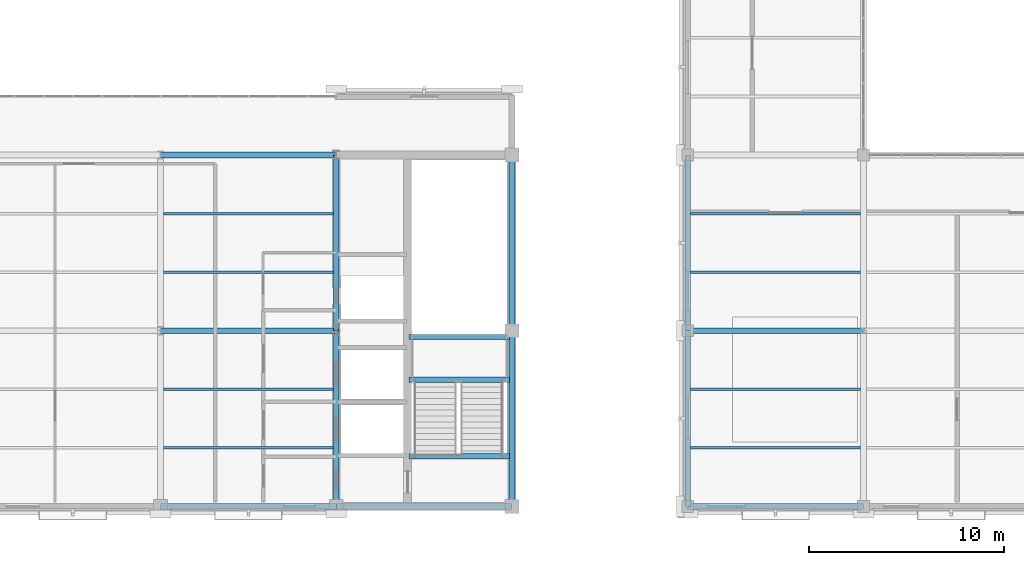
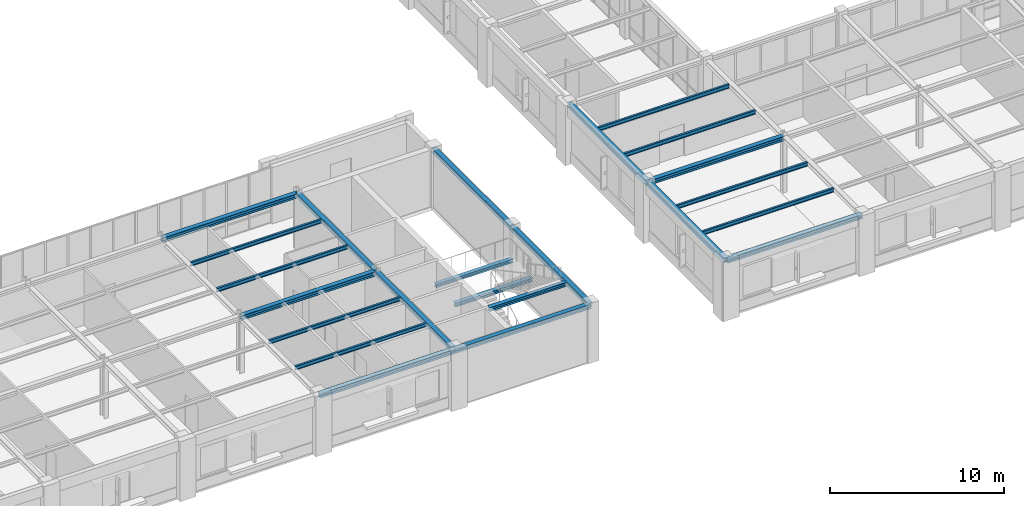
# One storey, part 41 of 130: 23 beams.
"""IFC4 building model written with IfcOpenShell, lengths in metres."""

from ifc_helpers import new_model, si_unit, direction, frame, origin, origin_2d, place, context, subcontext, project, spatial, i_section, extrude, material, material_profile, profile_set, type_object, element, save


model = new_model("IFC4")

# Units and contexts
model_context = context("Model", 3, precision=1e-05, world=origin(), true_north=direction((0.0, 1.0)))
body_context = subcontext(model_context, "Body", "Model", "MODEL_VIEW")
ifc_project = project(units=[si_unit("LENGTHUNIT", "METRE"), si_unit("AREAUNIT", "SQUARE_METRE"), si_unit("VOLUMEUNIT", "CUBIC_METRE"), si_unit("PLANEANGLEUNIT", "RADIAN"), si_unit("MASSUNIT", "GRAM", prefix="KILO")], contexts=[model_context])

# Site, building, storey
site_placement = place(None, origin())
site = spatial("IfcSite", under=ifc_project, at=site_placement, CompositionType="ELEMENT")
building_placement = place(site_placement, origin())
building = spatial("IfcBuilding", under=site, at=building_placement, Name="Lykobir Media Centre", CompositionType="ELEMENT")
storey_placement = place(building_placement, frame((0.0, 0.0, 19.199951171875)))
storey = spatial("IfcBuildingStorey", under=building, at=storey_placement, Name="L04", CompositionType="ELEMENT", Elevation=19.199951171875)

# Beams
ifc_material = material(Name="Steel S355", Category="steel")
ifc_material_profile_1 = material_profile(ifc_material, i_section(OverallWidth=0.300048828125, OverallDepth=0.2900390625, WebThickness=0.008544921875, FlangeThickness=0.013916015625, at=origin_2d()), Name="HEA 300")
ifc_profile_set_1 = profile_set([ifc_material_profile_1], Name="Steel S355")
beam_type_1 = type_object("IfcBeamType", Name="BM-HEA300", PredefinedType="BEAM", material=ifc_profile_set_1)
for number, where, z_axis, x_axis, name in (
    (1, (72.0, 0.0, 3.81494140625), (0.0, 1.0, 0.0), (-1.0, 0.0, 0.0), "Beam BM-L04-0720-0000-0720-0090-2302"),
    (2, (72.0, 9.0, 3.81494140625), (0.0, 1.0, 0.0), (-1.0, 0.0, 0.0), "Beam BM-L04-0720-0090-0720-0180-2302"),
):
    element("IfcBeam", number, at=place(storey_placement, frame(where, z_axis=z_axis, x_axis=x_axis)), inside=storey, type_object=beam_type_1, Name=name, PredefinedType="BEAM", context=body_context, shape_type="SweptSolid", body=[
        extrude(i_section(OverallWidth=0.300048828125, OverallDepth=0.2900390625, WebThickness=0.008544921875, FlangeThickness=0.013916015625, at=origin_2d()), origin(), (0.0, 0.0, 1.0), 9.0),
    ])
ifc_material_profile_2 = material_profile(ifc_material, i_section(OverallWidth=0.300048828125, OverallDepth=0.31005859375, WebThickness=0.009033203125, FlangeThickness=0.015380859375, at=origin_2d()), Name="HEA 320")
ifc_profile_set_2 = profile_set([ifc_material_profile_2], Name="Steel S355")
beam_type_2 = type_object("IfcBeamType", Name="BM-HEA320", PredefinedType="BEAM", material=ifc_profile_set_2)
for number, where, z_axis, x_axis, name in (
    (3, (63.0, 9.0, 3.804931640625), (1.0, 0.0, 0.0), (0.0, 1.0, 0.0), "Beam BM-L04-0630-0090-0720-0090-2300"),
    (4, (90.0, 9.0, 3.804931640625), (1.0, 0.0, 0.0), (0.0, 1.0, 0.0), "Beam BM-L04-0900-0090-0990-0090-2300"),
):
    element("IfcBeam", number, at=place(storey_placement, frame(where, z_axis=z_axis, x_axis=x_axis)), inside=storey, type_object=beam_type_2, Name=name, PredefinedType="BEAM", context=body_context, shape_type="SweptSolid", body=[
        extrude(i_section(OverallWidth=0.300048828125, OverallDepth=0.31005859375, WebThickness=0.009033203125, FlangeThickness=0.015380859375, at=origin_2d()), origin(), (0.0, 0.0, 1.0), 9.0),
    ])
ifc_material_profile_3 = material_profile(ifc_material, i_section(OverallWidth=0.260009765625, OverallDepth=0.25, WebThickness=0.007568359375, FlangeThickness=0.012451171875, at=origin_2d()), Name="HEA 260")
ifc_profile_set_3 = profile_set([ifc_material_profile_3], Name="Steel S355")
beam_type_3 = type_object("IfcBeamType", Name="BM-ST260", PredefinedType="BEAM", material=ifc_profile_set_3)
beam_1_placement = place(storey_placement, frame((75.72998046875, 8.679931640625, 1.780029296875), z_axis=(1.0, 0.0, 0.0), x_axis=(0.0, 1.0, 0.0)))
element("IfcBeam", 5, at=beam_1_placement, inside=storey, type_object=beam_type_3, Name="ST-2 L04 half-landing support beam", PredefinedType="BEAM", context=body_context, shape_type="SweptSolid", body=[
    extrude(i_section(OverallWidth=0.260009765625, OverallDepth=0.25, WebThickness=0.007568359375, FlangeThickness=0.012451171875, at=origin_2d()), origin(), (0.0, 0.0, 1.0), 5.14013671875),
])
ifc_material_profile_4 = material_profile(ifc_material, i_section(OverallWidth=0.280029296875, OverallDepth=0.27001953125, WebThickness=0.008056640625, FlangeThickness=0.012939453125, at=origin_2d()), Name="HEA 280")
ifc_profile_set_4 = profile_set([ifc_material_profile_4], Name="Steel S355")
beam_type_4 = type_object("IfcBeamType", Name="BM-ST280", PredefinedType="BEAM", material=ifc_profile_set_4)
for number, where, z_axis, x_axis, name in (
    (6, (75.72998046875, 2.580078125, 3.824951171875), (1.0, 0.0, 0.0), (0.0, 1.0, 0.0), "ST-2 L04 arrival trimmer beam"),
    (7, (75.72998046875, 6.47998046875, 1.77001953125), (1.0, 0.0, 0.0), (0.0, 1.0, 0.0), "ST-2 L04 mid-landing trimmer beam"),
):
    element("IfcBeam", number, at=place(storey_placement, frame(where, z_axis=z_axis, x_axis=x_axis)), inside=storey, type_object=beam_type_4, Name=name, PredefinedType="BEAM", context=body_context, shape_type="SweptSolid", body=[
        extrude(i_section(OverallWidth=0.280029296875, OverallDepth=0.27001953125, WebThickness=0.008056640625, FlangeThickness=0.012939453125, at=origin_2d()), origin(), (0.0, 0.0, 1.0), 5.14013671875),
    ])
ifc_material_profile_5 = material_profile(ifc_material, i_section(OverallWidth=0.135009765625, OverallDepth=0.27001953125, WebThickness=0.006591796875, FlangeThickness=0.01025390625, at=origin_2d()), Name="IPE 270")
ifc_profile_set_5 = profile_set([ifc_material_profile_5], Name="Steel S355")
beam_type_5 = type_object("IfcBeamType", Name="JS-IPE270", PredefinedType="JOIST", material=ifc_profile_set_5)
for number, where, z_axis, x_axis, name in (
    (8, (63.14990234375, 3.0, 3.824951171875), (1.0, 0.0, 0.0), (0.0, 1.0, 0.0), "Beam BM-L04-0632-0030-0718-0030-2302"),
    (9, (63.14990234375, 6.0, 3.824951171875), (1.0, 0.0, 0.0), (0.0, 1.0, 0.0), "Beam BM-L04-0632-0060-0718-0060-2302"),
    (10, (63.14990234375, 12.0, 3.824951171875), (1.0, 0.0, 0.0), (0.0, 1.0, 0.0), "Beam BM-L04-0632-0120-0718-0120-2302"),
    (11, (63.14990234375, 15.0, 3.824951171875), (1.0, 0.0, 0.0), (0.0, 1.0, 0.0), "Beam BM-L04-0632-0150-0718-0150-2302"),
    (12, (90.14990234375, 3.0, 3.824951171875), (1.0, 0.0, 0.0), (0.0, 1.0, 0.0), "Beam BM-L04-0902-0030-0988-0030-2302"),
    (13, (90.14990234375, 6.0, 3.824951171875), (1.0, 0.0, 0.0), (0.0, 1.0, 0.0), "Beam BM-L04-0902-0060-0988-0060-2302"),
    (14, (90.14990234375, 12.0, 3.824951171875), (1.0, 0.0, 0.0), (0.0, 1.0, 0.0), "Beam BM-L04-0902-0120-0988-0120-2302"),
    (15, (90.14990234375, 15.0, 3.824951171875), (1.0, 0.0, 0.0), (0.0, 1.0, 0.0), "Beam BM-L04-0902-0150-0988-0150-2302"),
):
    element("IfcBeam", number, at=place(storey_placement, frame(where, z_axis=z_axis, x_axis=x_axis)), inside=storey, type_object=beam_type_5, Name=name, PredefinedType="JOIST", context=body_context, shape_type="SweptSolid", body=[
        extrude(i_section(OverallWidth=0.135009765625, OverallDepth=0.27001953125, WebThickness=0.006591796875, FlangeThickness=0.01025390625, at=origin_2d()), origin(), (0.0, 0.0, 1.0), 8.7001953125),
    ])
ifc_material_profile_6 = material_profile(ifc_material, i_section(OverallWidth=0.300048828125, OverallDepth=0.31005859375, WebThickness=0.009033203125, FlangeThickness=0.015380859375, at=origin_2d()), Name="HEA 320")
ifc_profile_set_6 = profile_set([ifc_material_profile_6], Name="Steel S355")
beam_type_6 = type_object("IfcBeamType", Name="SP-HEA320", PredefinedType="SPANDREL", material=ifc_profile_set_6)
beam_2_placement = place(storey_placement, frame((63.0, 18.0, 3.804931640625), z_axis=(1.0, 0.0, 0.0), x_axis=(0.0, 1.0, 0.0)))
element("IfcBeam", 16, at=beam_2_placement, inside=storey, type_object=beam_type_6, Name="Beam BM-L04-0630-0180-0720-0180-2300", PredefinedType="SPANDREL", context=body_context, shape_type="SweptSolid", body=[
    extrude(i_section(OverallWidth=0.300048828125, OverallDepth=0.31005859375, WebThickness=0.009033203125, FlangeThickness=0.015380859375, at=origin_2d()), origin(), (0.0, 0.0, 1.0), 9.0),
])
ifc_material_profile_7 = material_profile(ifc_material, i_section(OverallWidth=0.300048828125, OverallDepth=0.31005859375, WebThickness=0.009033203125, FlangeThickness=0.015380859375, at=origin_2d()), Name="HEA 320")
ifc_profile_set_7 = profile_set([ifc_material_profile_7], Name="Steel S355")
beam_type_7 = type_object("IfcBeamType", Name="SP-HEA320-E", PredefinedType="SPANDREL", material=ifc_profile_set_7)
for number, where, z_axis, x_axis, name in (
    (17, (63.0, 0.0, 3.804931640625), (1.0, 0.0, 0.0), (0.0, 1.0, 0.0), "Beam BM-L04-0630-0000-0720-0000-2300"),
    (18, (72.0, 0.0, 3.804931640625), (1.0, 0.0, 0.0), (0.0, 1.0, 0.0), "Beam BM-L04-0720-0000-0810-0000-2300"),
    (19, (90.0, 0.0, 3.804931640625), (1.0, 0.0, 0.0), (0.0, 1.0, 0.0), "Beam BM-L04-0900-0000-0990-0000-2300"),
    (20, (81.0, 0.0, 3.804931640625), (0.0, 1.0, 0.0), (-1.0, 0.0, 0.0), "Beam BM-L04-0810-0000-0810-0090-2300"),
    (21, (81.0, 9.0, 3.804931640625), (0.0, 1.0, 0.0), (-1.0, 0.0, 0.0), "Beam BM-L04-0810-0090-0810-0180-2300"),
    (22, (90.0, 0.0, 3.804931640625), (0.0, 1.0, 0.0), (-1.0, 0.0, 0.0), "Beam BM-L04-0900-0000-0900-0090-2300"),
    (23, (90.0, 9.0, 3.804931640625), (0.0, 1.0, 0.0), (-1.0, 0.0, 0.0), "Beam BM-L04-0900-0090-0900-0180-2300"),
):
    element("IfcBeam", number, at=place(storey_placement, frame(where, z_axis=z_axis, x_axis=x_axis)), inside=storey, type_object=beam_type_7, Name=name, PredefinedType="SPANDREL", context=body_context, shape_type="SweptSolid", body=[
        extrude(i_section(OverallWidth=0.300048828125, OverallDepth=0.31005859375, WebThickness=0.009033203125, FlangeThickness=0.015380859375, at=origin_2d()), origin(), (0.0, 0.0, 1.0), 9.0),
    ])

save(model, "model.ifc")
